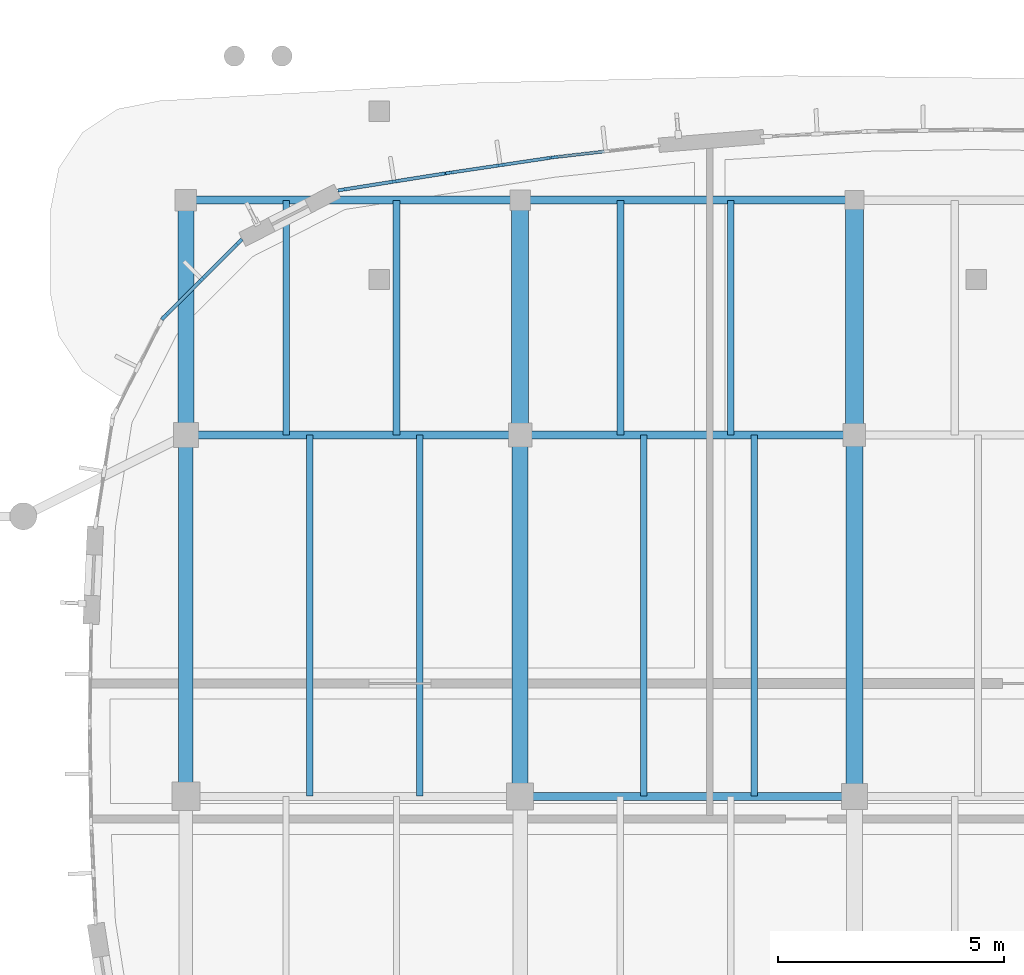
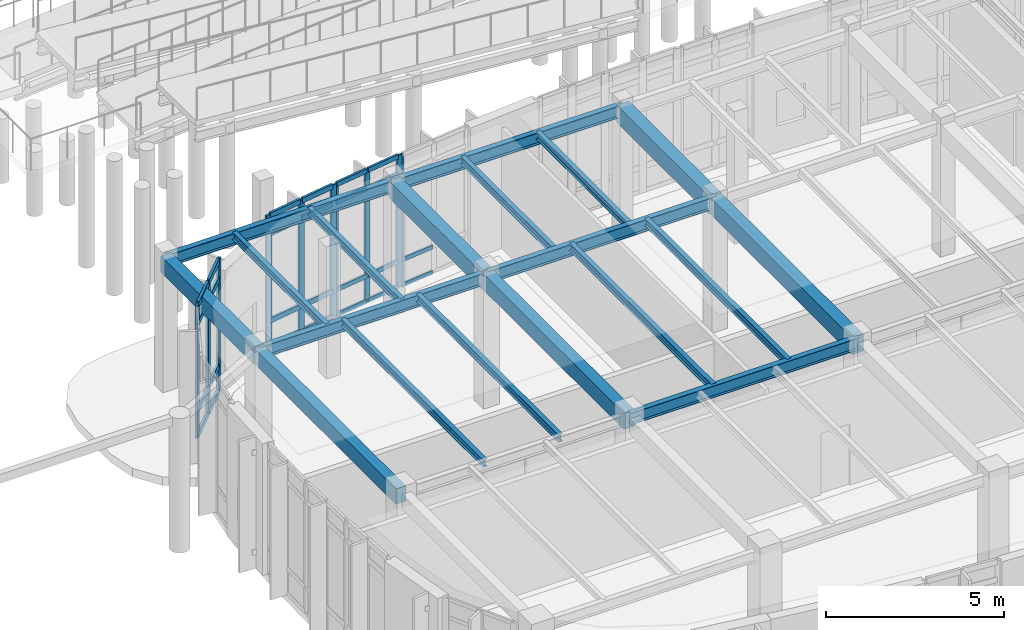
# One storey, part 32 of 120: 36 members, 19 beams, 4 elements without a shape of their own.
"""IFC4 building model written with IfcOpenShell, lengths in metres."""

from ifc_helpers import new_model, si_unit, direction, frame, origin, origin_2d, place, context, subcontext, project, spatial, rectangle, i_section, extrude, material, material_profile, profile_set, type_object, element, aggregate, save


model = new_model("IFC4")

# Units and contexts
model_context = context("Model", 3, precision=1e-05, world=origin(), true_north=direction((0.0, 1.0)))
body_context = subcontext(model_context, "Body", "Model", "MODEL_VIEW")
ifc_project = project(units=[si_unit("LENGTHUNIT", "METRE"), si_unit("AREAUNIT", "SQUARE_METRE"), si_unit("VOLUMEUNIT", "CUBIC_METRE"), si_unit("PLANEANGLEUNIT", "RADIAN"), si_unit("MASSUNIT", "GRAM", prefix="KILO")], contexts=[model_context])

# Site, building, storey
site_placement = place(None, origin())
site = spatial("IfcSite", under=ifc_project, at=site_placement, CompositionType="ELEMENT")
building_placement = place(site_placement, origin())
building = spatial("IfcBuilding", under=site, at=building_placement, Name="Corveleigh Park Community Centre", CompositionType="ELEMENT")
storey_placement = place(building_placement, origin())
storey = spatial("IfcBuildingStorey", under=building, at=storey_placement, Name="L00", CompositionType="ELEMENT", Elevation=0.0)

# Beams
ifc_material_1 = material(Name="Concrete C40/50", Category="concrete")
ifc_material_profile_1 = material_profile(ifc_material_1, rectangle(XDim=0.324951171875, YDim=0.52490234375, at=origin_2d()), Name="RC-325x525", Category="concrete")
ifc_profile_set_1 = profile_set([ifc_material_profile_1], Name="Concrete C40/50")
beam_type_1 = type_object("IfcBeamType", Name="BM-RC-325x525", PredefinedType="BEAM", material=ifc_profile_set_1)
beam_1_placement = place(storey_placement, frame((72.0, 18.804931640625, 4.2744140625), z_axis=(0.0, 1.0, 0.0), x_axis=(-1.0, 0.0, 0.0)))
element("IfcBeam", 1, at=beam_1_placement, inside=storey, type_object=beam_type_1, Name="V3 Girder Y", PredefinedType="BEAM", context=body_context, shape_type="SweptSolid", body=[
    extrude(rectangle(XDim=0.324951171875, YDim=0.52490234375, at=origin_2d()), origin(), (0.0, 0.0, 1.0), 7.989990234375),
])
ifc_material_profile_2 = material_profile(ifc_material_1, rectangle(XDim=0.35009765625, YDim=0.550048828125, at=origin_2d()), Name="RC-350x550", Category="concrete")
ifc_profile_set_2 = profile_set([ifc_material_profile_2], Name="Concrete C40/50")
beam_type_2 = type_object("IfcBeamType", Name="BM-RC-350x550", PredefinedType="BEAM", material=ifc_profile_set_2)
beam_2_placement = place(storey_placement, frame((72.0, 26.804931640625, 4.261962890625), z_axis=(0.0, 1.0, 0.0), x_axis=(-1.0, 0.0, 0.0)))
element("IfcBeam", 2, at=beam_2_placement, inside=storey, type_object=beam_type_2, Name="V3 Girder Y", PredefinedType="BEAM", context=body_context, shape_type="SweptSolid", body=[
    extrude(rectangle(XDim=0.35009765625, YDim=0.550048828125, at=origin_2d()), origin(), (0.0, 0.0, 1.0), 5.190185546875),
])
beam_3_placement = place(storey_placement, frame((79.39990234375, 18.804931640625, 4.26708984375), z_axis=(0.0, 1.0, 0.0), x_axis=(-1.0, 0.0, 0.0)))
element("IfcBeam", 3, at=beam_3_placement, inside=storey, type_object=beam_type_2, Name="V3 Girder Y", PredefinedType="BEAM", context=body_context, shape_type="SweptSolid", body=[
    extrude(rectangle(XDim=0.35009765625, YDim=0.550048828125, at=origin_2d()), origin(), (0.0, 0.0, 1.0), 7.989990234375),
])
ifc_material_profile_3 = material_profile(ifc_material_1, rectangle(XDim=0.375, YDim=0.574951171875, at=origin_2d()), Name="RC-375x575", Category="concrete")
ifc_profile_set_3 = profile_set([ifc_material_profile_3], Name="Concrete C40/50")
beam_type_3 = type_object("IfcBeamType", Name="BM-RC-375x575", PredefinedType="BEAM", material=ifc_profile_set_3)
beam_4_placement = place(storey_placement, frame((79.39990234375, 26.804931640625, 4.24951171875), z_axis=(0.0, 1.0, 0.0), x_axis=(-1.0, 0.0, 0.0)))
element("IfcBeam", 4, at=beam_4_placement, inside=storey, type_object=beam_type_3, Name="V3 Girder Y", PredefinedType="BEAM", context=body_context, shape_type="SweptSolid", body=[
    extrude(rectangle(XDim=0.375, YDim=0.574951171875, at=origin_2d()), origin(), (0.0, 0.0, 1.0), 5.190185546875),
])
beam_5_placement = place(storey_placement, frame((86.800048828125, 18.804931640625, 4.25439453125), z_axis=(0.0, 1.0, 0.0), x_axis=(-1.0, 0.0, 0.0)))
element("IfcBeam", 5, at=beam_5_placement, inside=storey, type_object=beam_type_3, Name="V3 Girder Y", PredefinedType="BEAM", context=body_context, shape_type="SweptSolid", body=[
    extrude(rectangle(XDim=0.375, YDim=0.574951171875, at=origin_2d()), origin(), (0.0, 0.0, 1.0), 7.989990234375),
])
ifc_material_profile_4 = material_profile(ifc_material_1, rectangle(XDim=0.39990234375, YDim=0.60009765625, at=origin_2d()), Name="RC-400x600", Category="concrete")
ifc_profile_set_4 = profile_set([ifc_material_profile_4], Name="Concrete C40/50")
beam_type_4 = type_object("IfcBeamType", Name="BM-RC-400x600", PredefinedType="BEAM", material=ifc_profile_set_4)
beam_6_placement = place(storey_placement, frame((86.800048828125, 26.804931640625, 4.237060546875), z_axis=(0.0, 1.0, 0.0), x_axis=(-1.0, 0.0, 0.0)))
element("IfcBeam", 6, at=beam_6_placement, inside=storey, type_object=beam_type_4, Name="V3 Girder Y", PredefinedType="BEAM", context=body_context, shape_type="SweptSolid", body=[
    extrude(rectangle(XDim=0.39990234375, YDim=0.60009765625, at=origin_2d()), origin(), (0.0, 0.0, 1.0), 5.190185546875),
])
ifc_material_2 = material(Name="Steel S355", Category="steel")
ifc_material_profile_5 = material_profile(ifc_material_2, i_section(OverallWidth=0.14599609375, OverallDepth=0.25146484375, WebThickness=0.006103515625, FlangeThickness=0.008544921875, at=origin_2d()), Name="UKB 254x146x31", Category="steel")
ifc_profile_set_5 = profile_set([ifc_material_profile_5], Name="Steel S355")
beam_type_5 = type_object("IfcBeamType", Name="BM-STL-UKB254x31", PredefinedType="JOIST", material=ifc_profile_set_5)
for number, where, z_axis, x_axis, name in (
    (7, (74.738037109375, 18.804931640625, 4.411376953125), (0.0, 1.0, 0.0), (-1.0, 0.0, 0.0), "Secondary floor joist"),
    (8, (77.179931640625, 18.804931640625, 4.411376953125), (0.0, 1.0, 0.0), (-1.0, 0.0, 0.0), "Secondary floor joist"),
):
    element("IfcBeam", number, at=place(storey_placement, frame(where, z_axis=z_axis, x_axis=x_axis)), inside=storey, type_object=beam_type_5, Name=name, PredefinedType="JOIST", context=body_context, shape_type="SweptSolid", body=[
        extrude(i_section(OverallWidth=0.14599609375, OverallDepth=0.25146484375, WebThickness=0.006103515625, FlangeThickness=0.008544921875, at=origin_2d()), origin(), (0.0, 0.0, 1.0), 7.989990234375),
    ])
ifc_material_profile_6 = material_profile(ifc_material_2, i_section(OverallWidth=0.146484375, OverallDepth=0.256103515625, WebThickness=0.00634765625, FlangeThickness=0.010986328125, at=origin_2d()), Name="UKB 254x146x37", Category="steel")
ifc_profile_set_6 = profile_set([ifc_material_profile_6], Name="Steel S355")
beam_type_6 = type_object("IfcBeamType", Name="BM-STL-UKB254x37", PredefinedType="JOIST", material=ifc_profile_set_6)
for number, where, z_axis, x_axis, name in (
    (9, (74.219970703125, 26.804931640625, 4.408935546875), (0.0, 1.0, 0.0), (-1.0, 0.0, 0.0), "Secondary floor joist"),
    (10, (76.662109375, 26.804931640625, 4.408935546875), (0.0, 1.0, 0.0), (-1.0, 0.0, 0.0), "Secondary floor joist"),
):
    element("IfcBeam", number, at=place(storey_placement, frame(where, z_axis=z_axis, x_axis=x_axis)), inside=storey, type_object=beam_type_6, Name=name, PredefinedType="JOIST", context=body_context, shape_type="SweptSolid", body=[
        extrude(i_section(OverallWidth=0.146484375, OverallDepth=0.256103515625, WebThickness=0.00634765625, FlangeThickness=0.010986328125, at=origin_2d()), origin(), (0.0, 0.0, 1.0), 5.190185546875),
    ])
for number, where, z_axis, x_axis, name in (
    (11, (82.137939453125, 18.804931640625, 4.4140625), (0.0, 1.0, 0.0), (-1.0, 0.0, 0.0), "Secondary floor joist"),
    (12, (84.580078125, 18.804931640625, 4.4140625), (0.0, 1.0, 0.0), (-1.0, 0.0, 0.0), "Secondary floor joist"),
):
    element("IfcBeam", number, at=place(storey_placement, frame(where, z_axis=z_axis, x_axis=x_axis)), inside=storey, type_object=beam_type_6, Name=name, PredefinedType="JOIST", context=body_context, shape_type="SweptSolid", body=[
        extrude(i_section(OverallWidth=0.146484375, OverallDepth=0.256103515625, WebThickness=0.00634765625, FlangeThickness=0.010986328125, at=origin_2d()), origin(), (0.0, 0.0, 1.0), 7.989990234375),
    ])
ifc_material_profile_7 = material_profile(ifc_material_2, i_section(OverallWidth=0.147216796875, OverallDepth=0.259521484375, WebThickness=0.007080078125, FlangeThickness=0.0126953125, at=origin_2d()), Name="UKB 254x146x43", Category="steel")
ifc_profile_set_7 = profile_set([ifc_material_profile_7], Name="Steel S355")
beam_type_7 = type_object("IfcBeamType", Name="BM-STL-UKB254x43", PredefinedType="JOIST", material=ifc_profile_set_7)
for number, where, z_axis, x_axis, name in (
    (13, (81.6201171875, 26.804931640625, 4.4072265625), (0.0, 1.0, 0.0), (-1.0, 0.0, 0.0), "Secondary floor joist"),
    (14, (84.06201171875, 26.804931640625, 4.4072265625), (0.0, 1.0, 0.0), (-1.0, 0.0, 0.0), "Secondary floor joist"),
):
    element("IfcBeam", number, at=place(storey_placement, frame(where, z_axis=z_axis, x_axis=x_axis)), inside=storey, type_object=beam_type_7, Name=name, PredefinedType="JOIST", context=body_context, shape_type="SweptSolid", body=[
        extrude(i_section(OverallWidth=0.147216796875, OverallDepth=0.259521484375, WebThickness=0.007080078125, FlangeThickness=0.0126953125, at=origin_2d()), origin(), (0.0, 0.0, 1.0), 5.190185546875),
    ])
ifc_material_profile_8 = material_profile(ifc_material_2, i_section(OverallWidth=0.177978515625, OverallDepth=0.406494140625, WebThickness=0.0078125, FlangeThickness=0.0126953125, at=origin_2d()), Name="UKB 406x178x60", Category="steel")
ifc_profile_set_8 = profile_set([ifc_material_profile_8], Name="Steel S355")
beam_type_8 = type_object("IfcBeamType", Name="BM-STL-UKB406x60", PredefinedType="BEAM", material=ifc_profile_set_8)
beam_7_placement = place(storey_placement, frame((79.405029296875, 18.800048828125, 4.3388671875), z_axis=(1.0, 0.0, 0.0), x_axis=(0.0, 1.0, 0.0)))
element("IfcBeam", 15, at=beam_7_placement, inside=storey, type_object=beam_type_8, Name="V3 Girder X", PredefinedType="BEAM", context=body_context, shape_type="SweptSolid", body=[
    extrude(i_section(OverallWidth=0.177978515625, OverallDepth=0.406494140625, WebThickness=0.0078125, FlangeThickness=0.0126953125, at=origin_2d()), origin(), (0.0, 0.0, 1.0), 7.389892578125),
])
beam_8_placement = place(storey_placement, frame((72.0048828125, 26.800048828125, 4.333740234375), z_axis=(1.0, 0.0, 0.0), x_axis=(0.0, 1.0, 0.0)))
element("IfcBeam", 16, at=beam_8_placement, inside=storey, type_object=beam_type_8, Name="V3 Girder X", PredefinedType="BEAM", context=body_context, shape_type="SweptSolid", body=[
    extrude(i_section(OverallWidth=0.177978515625, OverallDepth=0.406494140625, WebThickness=0.0078125, FlangeThickness=0.0126953125, at=origin_2d()), origin(), (0.0, 0.0, 1.0), 7.39013671875),
])
ifc_material_profile_9 = material_profile(ifc_material_2, i_section(OverallWidth=0.1787109375, OverallDepth=0.409423828125, WebThickness=0.0087890625, FlangeThickness=0.014404296875, at=origin_2d()), Name="UKB 406x178x67", Category="steel")
ifc_profile_set_9 = profile_set([ifc_material_profile_9], Name="Steel S355")
beam_type_9 = type_object("IfcBeamType", Name="BM-STL-UKB406x67", PredefinedType="BEAM", material=ifc_profile_set_9)
beam_9_placement = place(storey_placement, frame((79.405029296875, 26.800048828125, 4.33740234375), z_axis=(1.0, 0.0, 0.0), x_axis=(0.0, 1.0, 0.0)))
element("IfcBeam", 17, at=beam_9_placement, inside=storey, type_object=beam_type_9, Name="V3 Girder X", PredefinedType="BEAM", context=body_context, shape_type="SweptSolid", body=[
    extrude(i_section(OverallWidth=0.1787109375, OverallDepth=0.409423828125, WebThickness=0.0087890625, FlangeThickness=0.014404296875, at=origin_2d()), origin(), (0.0, 0.0, 1.0), 7.389892578125),
])
beam_10_placement = place(storey_placement, frame((72.0048828125, 32.0, 4.332275390625), z_axis=(1.0, 0.0, 0.0), x_axis=(0.0, 1.0, 0.0)))
element("IfcBeam", 18, at=beam_10_placement, inside=storey, type_object=beam_type_9, Name="V3 Girder X", PredefinedType="BEAM", context=body_context, shape_type="SweptSolid", body=[
    extrude(i_section(OverallWidth=0.1787109375, OverallDepth=0.409423828125, WebThickness=0.0087890625, FlangeThickness=0.014404296875, at=origin_2d()), origin(), (0.0, 0.0, 1.0), 7.39013671875),
])
ifc_material_profile_10 = material_profile(ifc_material_2, i_section(OverallWidth=0.179443359375, OverallDepth=0.412841796875, WebThickness=0.009521484375, FlangeThickness=0.01611328125, at=origin_2d()), Name="UKB 406x178x74", Category="steel")
ifc_profile_set_10 = profile_set([ifc_material_profile_10], Name="Steel S355")
beam_type_10 = type_object("IfcBeamType", Name="BM-STL-UKB406x74", PredefinedType="BEAM", material=ifc_profile_set_10)
beam_11_placement = place(storey_placement, frame((79.405029296875, 32.0, 4.33056640625), z_axis=(1.0, 0.0, 0.0), x_axis=(0.0, 1.0, 0.0)))
element("IfcBeam", 19, at=beam_11_placement, inside=storey, type_object=beam_type_10, Name="V3 Girder X", PredefinedType="BEAM", context=body_context, shape_type="SweptSolid", body=[
    extrude(i_section(OverallWidth=0.179443359375, OverallDepth=0.412841796875, WebThickness=0.009521484375, FlangeThickness=0.01611328125, at=origin_2d()), origin(), (0.0, 0.0, 1.0), 7.389892578125),
])

# Curtain wall, member
ifc_material_3 = material(Name="Anodised aluminium 6063-T6", Category="aluminium")
curtain_wall_type = type_object("IfcCurtainWallType", Name="CW-SYS-V3-L00", PredefinedType="NOTDEFINED", material=ifc_material_3)
curtain_wall_1_placement = place(storey_placement, origin())
curtain_wall_1 = element("IfcCurtainWall", 20, at=curtain_wall_1_placement, inside=storey, type_object=curtain_wall_type, Name="V3 L00 Curtain Wall 97", PredefinedType="NOTDEFINED")
ifc_material_profile_11 = material_profile(ifc_material_3, rectangle(XDim=0.06005859375, YDim=0.159912109375, at=origin_2d()), Name="ALU-M60x160", Category="aluminium")
ifc_profile_set_11 = profile_set([ifc_material_profile_11], Name="Anodised aluminium 6063-T6")
member_type_1 = type_object("IfcMemberType", Name="CWM-60x160", PredefinedType="MULLION", material=ifc_profile_set_11)
member_1_placement = place(storey_placement, frame((80.163818359375, 32.949462890625, 0.0), z_axis=(0.0, 0.0, 1.0), x_axis=(-0.114477641449, 0.993425824915, 0.0)))
member_1 = element("IfcMember", 21, at=member_1_placement, type_object=member_type_1, Name="CW05 mullion 1", PredefinedType="MULLION", context=body_context, shape_type="SweptSolid", body=[
    extrude(rectangle(XDim=0.06005859375, YDim=0.159912109375, at=origin_2d()), origin(), (0.0, 0.0, 1.0), 4.537109375),
])

# Curtain wall, members
curtain_wall_2_placement = place(storey_placement, origin())
curtain_wall_2 = element("IfcCurtainWall", 22, at=curtain_wall_2_placement, inside=storey, type_object=curtain_wall_type, Name="V3 L00 Curtain Wall 98", PredefinedType="NOTDEFINED")
ifc_material_profile_12 = material_profile(ifc_material_3, rectangle(XDim=0.06494140625, YDim=0.179931640625, at=origin_2d()), Name="ALU-M65x180", Category="aluminium")
ifc_profile_set_12 = profile_set([ifc_material_profile_12], Name="Anodised aluminium 6063-T6")
member_type_2 = type_object("IfcMemberType", Name="CWM-65x180", PredefinedType="MULLION", material=ifc_profile_set_12)
member_2_placement = place(storey_placement, frame((77.839111328125, 32.605712890625, 0.0), z_axis=(0.0, 0.0, 1.0), x_axis=(-0.146936785797, 0.989145884579, 0.0)))
member_2 = element("IfcMember", 23, at=member_2_placement, type_object=member_type_2, Name="CW05 mullion 1", PredefinedType="MULLION", context=body_context, shape_type="SweptSolid", body=[
    extrude(rectangle(XDim=0.06494140625, YDim=0.179931640625, at=origin_2d()), origin(), (0.0, 0.0, 1.0), 4.537109375),
])
member_3_placement = place(storey_placement, frame((78.96142578125, 32.7724609375, 0.0), z_axis=(0.0, 0.0, 1.0), x_axis=(-0.146936785797, 0.989145884579, 0.0)))
member_3 = element("IfcMember", 24, at=member_3_placement, type_object=member_type_2, Name="CW05 mullion 2", PredefinedType="MULLION", context=body_context, shape_type="SweptSolid", body=[
    extrude(rectangle(XDim=0.06494140625, YDim=0.179931640625, at=origin_2d()), origin(), (0.0, 0.0, 1.0), 4.537109375),
])
member_4_placement = place(storey_placement, frame((80.083740234375, 32.939208984375, 0.0), z_axis=(0.0, 0.0, 1.0), x_axis=(-0.146936785797, 0.989145884579, 0.0)))
member_4 = element("IfcMember", 25, at=member_4_placement, type_object=member_type_2, Name="CW05 mullion 3", PredefinedType="MULLION", context=body_context, shape_type="SweptSolid", body=[
    extrude(rectangle(XDim=0.06494140625, YDim=0.179931640625, at=origin_2d()), origin(), (0.0, 0.0, 1.0), 4.537109375),
])

curtain_wall_3_placement = place(storey_placement, origin())
curtain_wall_3 = element("IfcCurtainWall", 26, at=curtain_wall_3_placement, inside=storey, type_object=curtain_wall_type, Name="V3 L00 Curtain Wall 99", PredefinedType="NOTDEFINED")
ifc_material_profile_13 = material_profile(ifc_material_3, rectangle(XDim=0.070068359375, YDim=0.199951171875, at=origin_2d()), Name="ALU-M70x200", Category="aluminium")
ifc_profile_set_13 = profile_set([ifc_material_profile_13], Name="Anodised aluminium 6063-T6")
member_type_3 = type_object("IfcMemberType", Name="CWM-70x200", PredefinedType="MULLION", material=ifc_profile_set_13)
member_5_placement = place(storey_placement, frame((75.462646484375, 32.2294921875, 0.0), z_axis=(0.0, 0.0, 1.0), x_axis=(-0.156605894344, 0.98766117361, 0.0)))
member_5 = element("IfcMember", 27, at=member_5_placement, type_object=member_type_3, Name="CW05 mullion 1", PredefinedType="MULLION", context=body_context, shape_type="SweptSolid", body=[
    extrude(rectangle(XDim=0.070068359375, YDim=0.199951171875, at=origin_2d()), origin(), (0.0, 0.0, 1.0), 4.537109375),
])
member_6_placement = place(storey_placement, frame((76.610595703125, 32.41162109375, 0.0), z_axis=(0.0, 0.0, 1.0), x_axis=(-0.156605894344, 0.98766117361, 0.0)))
member_6 = element("IfcMember", 28, at=member_6_placement, type_object=member_type_3, Name="CW05 mullion 2", PredefinedType="MULLION", context=body_context, shape_type="SweptSolid", body=[
    extrude(rectangle(XDim=0.070068359375, YDim=0.199951171875, at=origin_2d()), origin(), (0.0, 0.0, 1.0), 4.537109375),
])
member_7_placement = place(storey_placement, frame((77.758544921875, 32.593505859375, 0.0), z_axis=(0.0, 0.0, 1.0), x_axis=(-0.156605894344, 0.98766117361, 0.0)))
member_7 = element("IfcMember", 29, at=member_7_placement, type_object=member_type_3, Name="CW05 mullion 3", PredefinedType="MULLION", context=body_context, shape_type="SweptSolid", body=[
    extrude(rectangle(XDim=0.070068359375, YDim=0.199951171875, at=origin_2d()), origin(), (0.0, 0.0, 1.0), 4.537109375),
])

curtain_wall_4_placement = place(storey_placement, origin())
curtain_wall_4 = element("IfcCurtainWall", 30, at=curtain_wall_4_placement, inside=storey, type_object=curtain_wall_type, Name="V3 L00 Curtain Wall 100", PredefinedType="NOTDEFINED")
ifc_material_profile_14 = material_profile(ifc_material_3, rectangle(XDim=0.074951171875, YDim=0.219970703125, at=origin_2d()), Name="ALU-M75x220", Category="aluminium")
ifc_profile_set_14 = profile_set([ifc_material_profile_14], Name="Anodised aluminium 6063-T6")
member_type_4 = type_object("IfcMemberType", Name="CWM-75x220", PredefinedType="MULLION", material=ifc_profile_set_14)
member_8_placement = place(storey_placement, frame((71.54345703125, 29.4384765625, 0.0), z_axis=(0.0, 0.0, 1.0), x_axis=(-0.707106781187, 0.707106781187, 0.0)))
member_8 = element("IfcMember", 31, at=member_8_placement, type_object=member_type_4, Name="CW05 mullion 1", PredefinedType="MULLION", context=body_context, shape_type="SweptSolid", body=[
    extrude(rectangle(XDim=0.074951171875, YDim=0.219970703125, at=origin_2d()), origin(), (0.0, 0.0, 1.0), 4.537109375),
])
member_9_placement = place(storey_placement, frame((72.3525390625, 30.24755859375, 0.0), z_axis=(0.0, 0.0, 1.0), x_axis=(-0.707106781187, 0.707106781187, 0.0)))
member_9 = element("IfcMember", 32, at=member_9_placement, type_object=member_type_4, Name="CW05 mullion 2", PredefinedType="MULLION", context=body_context, shape_type="SweptSolid", body=[
    extrude(rectangle(XDim=0.074951171875, YDim=0.219970703125, at=origin_2d()), origin(), (0.0, 0.0, 1.0), 4.537109375),
])
member_10_placement = place(storey_placement, frame((73.161376953125, 31.056396484375, 0.0), z_axis=(0.0, 0.0, 1.0), x_axis=(-0.707106781187, 0.707106781187, 0.0)))
member_10 = element("IfcMember", 33, at=member_10_placement, type_object=member_type_4, Name="CW05 mullion 3", PredefinedType="MULLION", context=body_context, shape_type="SweptSolid", body=[
    extrude(rectangle(XDim=0.074951171875, YDim=0.219970703125, at=origin_2d()), origin(), (0.0, 0.0, 1.0), 4.537109375),
])

# Member
ifc_material_profile_15 = material_profile(ifc_material_3, rectangle(XDim=0.06494140625, YDim=0.139892578125, at=origin_2d()), Name="ALU-T65x140", Category="aluminium")
ifc_profile_set_15 = profile_set([ifc_material_profile_15], Name="Anodised aluminium 6063-T6")
member_type_5 = type_object("IfcMemberType", Name="CWT-65x140", PredefinedType="USERDEFINED", material=ifc_profile_set_15)
member_11_placement = place(storey_placement, frame((80.193603515625, 32.952880859375, 0.032470703125), z_axis=(0.993415888846, 0.114563832808, 0.0), x_axis=(-0.114563832808, 0.993415888846, 0.0)))
member_11 = element("IfcMember", 34, at=member_11_placement, type_object=member_type_5, Name="CW05 transom 1.1", ObjectType="TRANSOM", PredefinedType="USERDEFINED", context=body_context, shape_type="SweptSolid", body=[
    extrude(rectangle(XDim=0.06494140625, YDim=0.139892578125, at=origin_2d()), origin(), (0.0, 0.0, 1.0), 1.076171875),
])

member_12_placement = place(storey_placement, frame((80.193603515625, 32.952880859375, 0.89990234375), z_axis=(0.993415888846, 0.114563832808, 0.0), x_axis=(-0.114563832808, 0.993415888846, 0.0)))
member_12 = element("IfcMember", 35, at=member_12_placement, type_object=member_type_5, Name="CW05 transom 1.2", ObjectType="TRANSOM", PredefinedType="USERDEFINED", context=body_context, shape_type="SweptSolid", body=[
    extrude(rectangle(XDim=0.06494140625, YDim=0.139892578125, at=origin_2d()), origin(), (0.0, 0.0, 1.0), 1.076171875),
])

aggregate(curtain_wall_1, [member_1, member_11, member_12])

ifc_material_profile_16 = material_profile(ifc_material_3, rectangle(XDim=0.070068359375, YDim=0.155029296875, at=origin_2d()), Name="ALU-T70x155", Category="aluminium")
ifc_profile_set_16 = profile_set([ifc_material_profile_16], Name="Anodised aluminium 6063-T6")
member_type_6 = type_object("IfcMemberType", Name="CWT-70x155", PredefinedType="USERDEFINED", material=ifc_profile_set_16)
member_13_placement = place(storey_placement, frame((77.871337890625, 32.610595703125, 0.034912109375), z_axis=(0.989139648847, 0.146978757235, 0.0), x_axis=(-0.146978757235, 0.989139648847, 0.0)))
member_13 = element("IfcMember", 36, at=member_13_placement, type_object=member_type_6, Name="CW05 transom 1.1", ObjectType="TRANSOM", PredefinedType="USERDEFINED", context=body_context, shape_type="SweptSolid", body=[
    extrude(rectangle(XDim=0.070068359375, YDim=0.155029296875, at=origin_2d()), origin(), (0.0, 0.0, 1.0), 1.06982421875),
])

member_14_placement = place(storey_placement, frame((77.871337890625, 32.610595703125, 0.89990234375), z_axis=(0.989139648847, 0.146978757235, 0.0), x_axis=(-0.146978757235, 0.989139648847, 0.0)))
member_14 = element("IfcMember", 37, at=member_14_placement, type_object=member_type_6, Name="CW05 transom 1.2", ObjectType="TRANSOM", PredefinedType="USERDEFINED", context=body_context, shape_type="SweptSolid", body=[
    extrude(rectangle(XDim=0.070068359375, YDim=0.155029296875, at=origin_2d()), origin(), (0.0, 0.0, 1.0), 1.06982421875),
])

member_15_placement = place(storey_placement, frame((77.871337890625, 32.610595703125, 3.886962890625), z_axis=(0.989139648847, 0.146978757235, 0.0), x_axis=(-0.146978757235, 0.989139648847, 0.0)))
member_15 = element("IfcMember", 38, at=member_15_placement, type_object=member_type_6, Name="CW05 transom 1.3", ObjectType="TRANSOM", PredefinedType="USERDEFINED", context=body_context, shape_type="SweptSolid", body=[
    extrude(rectangle(XDim=0.070068359375, YDim=0.155029296875, at=origin_2d()), origin(), (0.0, 0.0, 1.0), 1.06982421875),
])

member_16_placement = place(storey_placement, frame((77.871337890625, 32.610595703125, 4.501953125), z_axis=(0.989139648847, 0.146978757235, 0.0), x_axis=(-0.146978757235, 0.989139648847, 0.0)))
member_16 = element("IfcMember", 39, at=member_16_placement, type_object=member_type_6, Name="CW05 transom 1.4", ObjectType="TRANSOM", PredefinedType="USERDEFINED", context=body_context, shape_type="SweptSolid", body=[
    extrude(rectangle(XDim=0.070068359375, YDim=0.155029296875, at=origin_2d()), origin(), (0.0, 0.0, 1.0), 1.06982421875),
])

member_17_placement = place(storey_placement, frame((78.99365234375, 32.77734375, 0.034912109375), z_axis=(0.989139648847, 0.146978757235, 0.0), x_axis=(-0.146978757235, 0.989139648847, 0.0)))
member_17 = element("IfcMember", 40, at=member_17_placement, type_object=member_type_6, Name="CW05 transom 2.1", ObjectType="TRANSOM", PredefinedType="USERDEFINED", context=body_context, shape_type="SweptSolid", body=[
    extrude(rectangle(XDim=0.070068359375, YDim=0.155029296875, at=origin_2d()), origin(), (0.0, 0.0, 1.0), 1.06982421875),
])

member_18_placement = place(storey_placement, frame((78.99365234375, 32.77734375, 0.89990234375), z_axis=(0.989139648847, 0.146978757235, 0.0), x_axis=(-0.146978757235, 0.989139648847, 0.0)))
member_18 = element("IfcMember", 41, at=member_18_placement, type_object=member_type_6, Name="CW05 transom 2.2", ObjectType="TRANSOM", PredefinedType="USERDEFINED", context=body_context, shape_type="SweptSolid", body=[
    extrude(rectangle(XDim=0.070068359375, YDim=0.155029296875, at=origin_2d()), origin(), (0.0, 0.0, 1.0), 1.06982421875),
])

member_19_placement = place(storey_placement, frame((78.99365234375, 32.77734375, 3.886962890625), z_axis=(0.989139648847, 0.146978757235, 0.0), x_axis=(-0.146978757235, 0.989139648847, 0.0)))
member_19 = element("IfcMember", 42, at=member_19_placement, type_object=member_type_6, Name="CW05 transom 2.3", ObjectType="TRANSOM", PredefinedType="USERDEFINED", context=body_context, shape_type="SweptSolid", body=[
    extrude(rectangle(XDim=0.070068359375, YDim=0.155029296875, at=origin_2d()), origin(), (0.0, 0.0, 1.0), 1.06982421875),
])

member_20_placement = place(storey_placement, frame((78.99365234375, 32.77734375, 4.501953125), z_axis=(0.989139648847, 0.146978757235, 0.0), x_axis=(-0.146978757235, 0.989139648847, 0.0)))
member_20 = element("IfcMember", 43, at=member_20_placement, type_object=member_type_6, Name="CW05 transom 2.4", ObjectType="TRANSOM", PredefinedType="USERDEFINED", context=body_context, shape_type="SweptSolid", body=[
    extrude(rectangle(XDim=0.070068359375, YDim=0.155029296875, at=origin_2d()), origin(), (0.0, 0.0, 1.0), 1.06982421875),
])

aggregate(curtain_wall_2, [member_2, member_3, member_4, member_13, member_14, member_15, member_16, member_17, member_18, member_19, member_20])

ifc_material_profile_17 = material_profile(ifc_material_3, rectangle(XDim=0.074951171875, YDim=0.175048828125, at=origin_2d()), Name="ALU-T75x175", Category="aluminium")
ifc_profile_set_17 = profile_set([ifc_material_profile_17], Name="Anodised aluminium 6063-T6")
member_type_7 = type_object("IfcMemberType", Name="CWT-75x175", PredefinedType="USERDEFINED", material=ifc_profile_set_17)
member_21_placement = place(storey_placement, frame((75.4970703125, 32.23486328125, 0.03759765625), z_axis=(0.987650354528, 0.156674111456, 0.0), x_axis=(-0.156674111456, 0.987650354528, 0.0)))
member_21 = element("IfcMember", 44, at=member_21_placement, type_object=member_type_7, Name="CW05 transom 1.1", ObjectType="TRANSOM", PredefinedType="USERDEFINED", context=body_context, shape_type="SweptSolid", body=[
    extrude(rectangle(XDim=0.074951171875, YDim=0.175048828125, at=origin_2d()), origin(), (0.0, 0.0, 1.0), 1.09228515625),
])

member_22_placement = place(storey_placement, frame((75.4970703125, 32.23486328125, 0.89990234375), z_axis=(0.987650354528, 0.156674111456, 0.0), x_axis=(-0.156674111456, 0.987650354528, 0.0)))
member_22 = element("IfcMember", 45, at=member_22_placement, type_object=member_type_7, Name="CW05 transom 1.2", ObjectType="TRANSOM", PredefinedType="USERDEFINED", context=body_context, shape_type="SweptSolid", body=[
    extrude(rectangle(XDim=0.074951171875, YDim=0.175048828125, at=origin_2d()), origin(), (0.0, 0.0, 1.0), 1.09228515625),
])

member_23_placement = place(storey_placement, frame((75.4970703125, 32.23486328125, 3.886962890625), z_axis=(0.987650354528, 0.156674111456, 0.0), x_axis=(-0.156674111456, 0.987650354528, 0.0)))
member_23 = element("IfcMember", 46, at=member_23_placement, type_object=member_type_7, Name="CW05 transom 1.3", ObjectType="TRANSOM", PredefinedType="USERDEFINED", context=body_context, shape_type="SweptSolid", body=[
    extrude(rectangle(XDim=0.074951171875, YDim=0.175048828125, at=origin_2d()), origin(), (0.0, 0.0, 1.0), 1.09228515625),
])

member_24_placement = place(storey_placement, frame((75.4970703125, 32.23486328125, 4.49951171875), z_axis=(0.987650354528, 0.156674111456, 0.0), x_axis=(-0.156674111456, 0.987650354528, 0.0)))
member_24 = element("IfcMember", 47, at=member_24_placement, type_object=member_type_7, Name="CW05 transom 1.4", ObjectType="TRANSOM", PredefinedType="USERDEFINED", context=body_context, shape_type="SweptSolid", body=[
    extrude(rectangle(XDim=0.074951171875, YDim=0.175048828125, at=origin_2d()), origin(), (0.0, 0.0, 1.0), 1.09228515625),
])

member_25_placement = place(storey_placement, frame((76.64501953125, 32.4169921875, 0.03759765625), z_axis=(0.987650354528, 0.156674111456, 0.0), x_axis=(-0.156674111456, 0.987650354528, 0.0)))
member_25 = element("IfcMember", 48, at=member_25_placement, type_object=member_type_7, Name="CW05 transom 2.1", ObjectType="TRANSOM", PredefinedType="USERDEFINED", context=body_context, shape_type="SweptSolid", body=[
    extrude(rectangle(XDim=0.074951171875, YDim=0.175048828125, at=origin_2d()), origin(), (0.0, 0.0, 1.0), 1.09228515625),
])

member_26_placement = place(storey_placement, frame((76.64501953125, 32.4169921875, 0.89990234375), z_axis=(0.987650354528, 0.156674111456, 0.0), x_axis=(-0.156674111456, 0.987650354528, 0.0)))
member_26 = element("IfcMember", 49, at=member_26_placement, type_object=member_type_7, Name="CW05 transom 2.2", ObjectType="TRANSOM", PredefinedType="USERDEFINED", context=body_context, shape_type="SweptSolid", body=[
    extrude(rectangle(XDim=0.074951171875, YDim=0.175048828125, at=origin_2d()), origin(), (0.0, 0.0, 1.0), 1.09228515625),
])

member_27_placement = place(storey_placement, frame((76.64501953125, 32.4169921875, 3.886962890625), z_axis=(0.987650354528, 0.156674111456, 0.0), x_axis=(-0.156674111456, 0.987650354528, 0.0)))
member_27 = element("IfcMember", 50, at=member_27_placement, type_object=member_type_7, Name="CW05 transom 2.3", ObjectType="TRANSOM", PredefinedType="USERDEFINED", context=body_context, shape_type="SweptSolid", body=[
    extrude(rectangle(XDim=0.074951171875, YDim=0.175048828125, at=origin_2d()), origin(), (0.0, 0.0, 1.0), 1.09228515625),
])

member_28_placement = place(storey_placement, frame((76.64501953125, 32.4169921875, 4.49951171875), z_axis=(0.987650354528, 0.156674111456, 0.0), x_axis=(-0.156674111456, 0.987650354528, 0.0)))
member_28 = element("IfcMember", 51, at=member_28_placement, type_object=member_type_7, Name="CW05 transom 2.4", ObjectType="TRANSOM", PredefinedType="USERDEFINED", context=body_context, shape_type="SweptSolid", body=[
    extrude(rectangle(XDim=0.074951171875, YDim=0.175048828125, at=origin_2d()), origin(), (0.0, 0.0, 1.0), 1.09228515625),
])

aggregate(curtain_wall_3, [member_5, member_6, member_7, member_21, member_22, member_23, member_24, member_25, member_26, member_27, member_28])

ifc_material_profile_18 = material_profile(ifc_material_3, rectangle(XDim=0.080078125, YDim=0.195068359375, at=origin_2d()), Name="ALU-T80x195", Category="aluminium")
ifc_profile_set_18 = profile_set([ifc_material_profile_18], Name="Anodised aluminium 6063-T6")
member_type_8 = type_object("IfcMemberType", Name="CWT-80x195", PredefinedType="USERDEFINED", material=ifc_profile_set_18)
member_29_placement = place(storey_placement, frame((71.570068359375, 29.465087890625, 0.0400390625), z_axis=(0.707106781187, 0.707106781187, 0.0), x_axis=(-0.707106781187, 0.707106781187, 0.0)))
member_29 = element("IfcMember", 52, at=member_29_placement, type_object=member_type_8, Name="CW05 transom 1.1", ObjectType="TRANSOM", PredefinedType="USERDEFINED", context=body_context, shape_type="SweptSolid", body=[
    extrude(rectangle(XDim=0.080078125, YDim=0.195068359375, at=origin_2d()), origin(), (0.0, 0.0, 1.0), 1.06884765625),
])

member_30_placement = place(storey_placement, frame((71.570068359375, 29.465087890625, 0.89990234375), z_axis=(0.707106781187, 0.707106781187, 0.0), x_axis=(-0.707106781187, 0.707106781187, 0.0)))
member_30 = element("IfcMember", 53, at=member_30_placement, type_object=member_type_8, Name="CW05 transom 1.2", ObjectType="TRANSOM", PredefinedType="USERDEFINED", context=body_context, shape_type="SweptSolid", body=[
    extrude(rectangle(XDim=0.080078125, YDim=0.195068359375, at=origin_2d()), origin(), (0.0, 0.0, 1.0), 1.06884765625),
])

member_31_placement = place(storey_placement, frame((71.570068359375, 29.465087890625, 3.886962890625), z_axis=(0.707106781187, 0.707106781187, 0.0), x_axis=(-0.707106781187, 0.707106781187, 0.0)))
member_31 = element("IfcMember", 54, at=member_31_placement, type_object=member_type_8, Name="CW05 transom 1.3", ObjectType="TRANSOM", PredefinedType="USERDEFINED", context=body_context, shape_type="SweptSolid", body=[
    extrude(rectangle(XDim=0.080078125, YDim=0.195068359375, at=origin_2d()), origin(), (0.0, 0.0, 1.0), 1.06884765625),
])

member_32_placement = place(storey_placement, frame((71.570068359375, 29.465087890625, 4.4970703125), z_axis=(0.707106781187, 0.707106781187, 0.0), x_axis=(-0.707106781187, 0.707106781187, 0.0)))
member_32 = element("IfcMember", 55, at=member_32_placement, type_object=member_type_8, Name="CW05 transom 1.4", ObjectType="TRANSOM", PredefinedType="USERDEFINED", context=body_context, shape_type="SweptSolid", body=[
    extrude(rectangle(XDim=0.080078125, YDim=0.195068359375, at=origin_2d()), origin(), (0.0, 0.0, 1.0), 1.06884765625),
])

member_33_placement = place(storey_placement, frame((72.37890625, 30.27392578125, 0.0400390625), z_axis=(0.707106781187, 0.707106781187, 0.0), x_axis=(-0.707106781187, 0.707106781187, 0.0)))
member_33 = element("IfcMember", 56, at=member_33_placement, type_object=member_type_8, Name="CW05 transom 2.1", ObjectType="TRANSOM", PredefinedType="USERDEFINED", context=body_context, shape_type="SweptSolid", body=[
    extrude(rectangle(XDim=0.080078125, YDim=0.195068359375, at=origin_2d()), origin(), (0.0, 0.0, 1.0), 1.0693359375),
])

member_34_placement = place(storey_placement, frame((72.37890625, 30.27392578125, 0.89990234375), z_axis=(0.707106781187, 0.707106781187, 0.0), x_axis=(-0.707106781187, 0.707106781187, 0.0)))
member_34 = element("IfcMember", 57, at=member_34_placement, type_object=member_type_8, Name="CW05 transom 2.2", ObjectType="TRANSOM", PredefinedType="USERDEFINED", context=body_context, shape_type="SweptSolid", body=[
    extrude(rectangle(XDim=0.080078125, YDim=0.195068359375, at=origin_2d()), origin(), (0.0, 0.0, 1.0), 1.0693359375),
])

member_35_placement = place(storey_placement, frame((72.37890625, 30.27392578125, 3.886962890625), z_axis=(0.707106781187, 0.707106781187, 0.0), x_axis=(-0.707106781187, 0.707106781187, 0.0)))
member_35 = element("IfcMember", 58, at=member_35_placement, type_object=member_type_8, Name="CW05 transom 2.3", ObjectType="TRANSOM", PredefinedType="USERDEFINED", context=body_context, shape_type="SweptSolid", body=[
    extrude(rectangle(XDim=0.080078125, YDim=0.195068359375, at=origin_2d()), origin(), (0.0, 0.0, 1.0), 1.0693359375),
])

member_36_placement = place(storey_placement, frame((72.37890625, 30.27392578125, 4.4970703125), z_axis=(0.707106781187, 0.707106781187, 0.0), x_axis=(-0.707106781187, 0.707106781187, 0.0)))
member_36 = element("IfcMember", 59, at=member_36_placement, type_object=member_type_8, Name="CW05 transom 2.4", ObjectType="TRANSOM", PredefinedType="USERDEFINED", context=body_context, shape_type="SweptSolid", body=[
    extrude(rectangle(XDim=0.080078125, YDim=0.195068359375, at=origin_2d()), origin(), (0.0, 0.0, 1.0), 1.0693359375),
])

aggregate(curtain_wall_4, [member_8, member_9, member_10, member_29, member_30, member_31, member_32, member_33, member_34, member_35, member_36])

save(model, "model.ifc")
